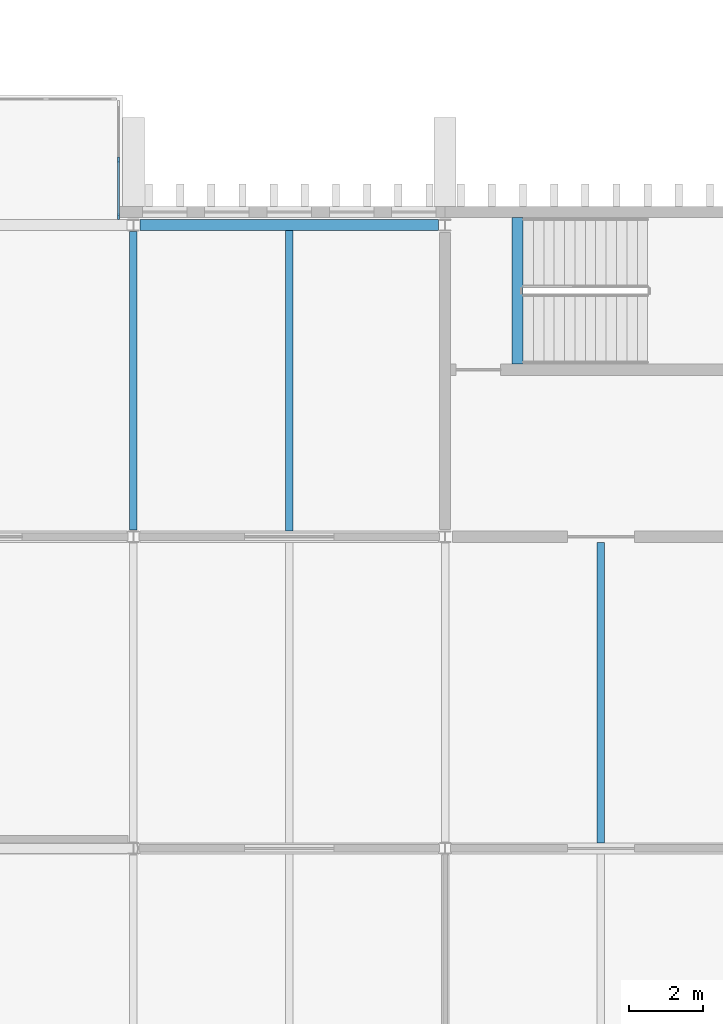
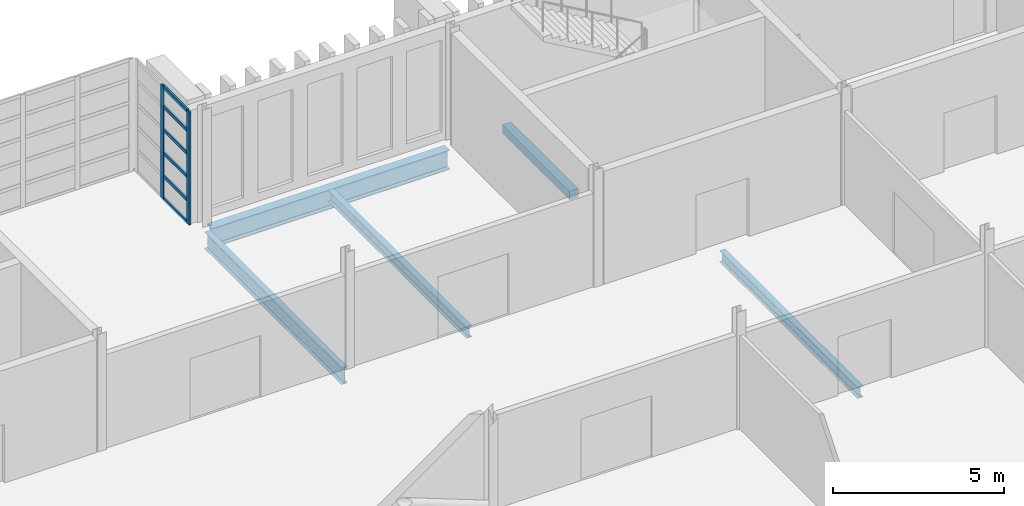
# One storey, part 15 of 100: 8 members, 5 beams, 1 element without a shape of its own.
"""IFC4 building model written with IfcOpenShell, lengths in metres."""

from ifc_helpers import new_model, si_unit, direction, frame, origin, origin_2d, place, context, subcontext, project, spatial, rectangle, i_section, extrude, material, layer, layer_set, material_profile, profile_set, type_object, element, aggregate, save


model = new_model("IFC4")

# Units and contexts
model_context = context("Model", 3, precision=1e-05, world=origin(), true_north=direction((0.0, 1.0)))
body_context = subcontext(model_context, "Body", "Model", "MODEL_VIEW")
ifc_project = project(units=[si_unit("LENGTHUNIT", "METRE"), si_unit("AREAUNIT", "SQUARE_METRE"), si_unit("VOLUMEUNIT", "CUBIC_METRE"), si_unit("PLANEANGLEUNIT", "RADIAN"), si_unit("MASSUNIT", "GRAM", prefix="KILO")], contexts=[model_context])

# Site, building, storey
site_placement = place(None, origin())
site = spatial("IfcSite", under=ifc_project, at=site_placement, CompositionType="ELEMENT")
building_placement = place(site_placement, origin())
building = spatial("IfcBuilding", under=site, at=building_placement, Name="Cresset Court Congress Hotel", CompositionType="ELEMENT")
storey_placement = place(building_placement, frame((0.0, 0.0, 10.199951171875)))
storey = spatial("IfcBuildingStorey", under=building, at=storey_placement, Name="L02", CompositionType="ELEMENT", Elevation=10.199951171875)

# Curtain wall, members
ifc_material_1 = material(Name="Aluminium frame with double glazing", Category="aluminium")
ifc_layer = layer(ifc_material_1, 0.199951171875)
ifc_layer_set = layer_set([ifc_layer], Name="Glazed box curtain wall 1680 module")
curtain_wall_type = type_object("IfcCurtainWallType", Name="Glazed box curtain wall 1680 module", PredefinedType="NOTDEFINED", material=ifc_layer_set)
curtain_wall_placement = place(storey_placement, origin())
curtain_wall = element("IfcCurtainWall", 1, at=curtain_wall_placement, inside=storey, type_object=curtain_wall_type, Name="Glazed box N0224 side", PredefinedType="NOTDEFINED")
ifc_material_2 = material(Name="Aluminium", Category="aluminium")
ifc_material_profile_1 = material_profile(ifc_material_2, rectangle(XDim=0.06005859375, YDim=0.159912109375, at=origin_2d()), Name="Box mullion 60x160")
ifc_profile_set_1 = profile_set([ifc_material_profile_1], Name="Aluminium")
member_type_1 = type_object("IfcMemberType", Name="Box mullion 60x160", PredefinedType="MULLION", material=ifc_profile_set_1)
member_1_placement = place(storey_placement, frame((24.800048828125, 25.429931640625, 0.0), z_axis=(0.0, 0.0, 1.0), x_axis=(-1.0, 0.0, 0.0)))
member_1 = element("IfcMember", 2, at=member_1_placement, type_object=member_type_1, Name="B-X1 mullion 1", PredefinedType="MULLION", context=body_context, shape_type="SweptSolid", body=[
    extrude(rectangle(XDim=0.06005859375, YDim=0.159912109375, at=origin_2d()), origin(), (0.0, 0.0, 1.0), 4.050048828125),
])
member_2_placement = place(storey_placement, frame((24.800048828125, 26.949951171875, 0.0), z_axis=(0.0, 0.0, 1.0), x_axis=(-1.0, 0.0, 0.0)))
member_2 = element("IfcMember", 3, at=member_2_placement, type_object=member_type_1, Name="B-X1 mullion 2", PredefinedType="MULLION", context=body_context, shape_type="SweptSolid", body=[
    extrude(rectangle(XDim=0.06005859375, YDim=0.159912109375, at=origin_2d()), origin(), (0.0, 0.0, 1.0), 4.050048828125),
])
ifc_material_3 = material(Name="Aluminium", Category="aluminium")
ifc_material_profile_2 = material_profile(ifc_material_3, rectangle(XDim=0.06005859375, YDim=0.1201171875, at=origin_2d()), Name="Box transom 60x120")
ifc_profile_set_2 = profile_set([ifc_material_profile_2], Name="Aluminium")
member_type_2 = type_object("IfcMemberType", Name="Box transom 60x120", PredefinedType="USERDEFINED", material=ifc_profile_set_2)
member_3_placement = place(storey_placement, frame((24.800048828125, 25.4599609375, 0.030029296875), z_axis=(0.0, 1.0, 0.0), x_axis=(-1.0, 0.0, 0.0)))
member_3 = element("IfcMember", 4, at=member_3_placement, type_object=member_type_2, Name="B-X1 transom 1.1", ObjectType="TRANSOM", PredefinedType="USERDEFINED", context=body_context, shape_type="SweptSolid", body=[
    extrude(rectangle(XDim=0.06005859375, YDim=0.1201171875, at=origin_2d()), origin(), (0.0, 0.0, 1.0), 1.4599609375),
])
member_4_placement = place(storey_placement, frame((24.800048828125, 25.4599609375, 0.830078125), z_axis=(0.0, 1.0, 0.0), x_axis=(-1.0, 0.0, 0.0)))
member_4 = element("IfcMember", 5, at=member_4_placement, type_object=member_type_2, Name="B-X1 transom 1.2", ObjectType="TRANSOM", PredefinedType="USERDEFINED", context=body_context, shape_type="SweptSolid", body=[
    extrude(rectangle(XDim=0.06005859375, YDim=0.1201171875, at=origin_2d()), origin(), (0.0, 0.0, 1.0), 1.4599609375),
])
member_5_placement = place(storey_placement, frame((24.800048828125, 25.4599609375, 1.66015625), z_axis=(0.0, 1.0, 0.0), x_axis=(-1.0, 0.0, 0.0)))
member_5 = element("IfcMember", 6, at=member_5_placement, type_object=member_type_2, Name="B-X1 transom 1.3", ObjectType="TRANSOM", PredefinedType="USERDEFINED", context=body_context, shape_type="SweptSolid", body=[
    extrude(rectangle(XDim=0.06005859375, YDim=0.1201171875, at=origin_2d()), origin(), (0.0, 0.0, 1.0), 1.4599609375),
])
member_6_placement = place(storey_placement, frame((24.800048828125, 25.4599609375, 2.489990234375), z_axis=(0.0, 1.0, 0.0), x_axis=(-1.0, 0.0, 0.0)))
member_6 = element("IfcMember", 7, at=member_6_placement, type_object=member_type_2, Name="B-X1 transom 1.4", ObjectType="TRANSOM", PredefinedType="USERDEFINED", context=body_context, shape_type="SweptSolid", body=[
    extrude(rectangle(XDim=0.06005859375, YDim=0.1201171875, at=origin_2d()), origin(), (0.0, 0.0, 1.0), 1.4599609375),
])
member_7_placement = place(storey_placement, frame((24.800048828125, 25.4599609375, 3.320068359375), z_axis=(0.0, 1.0, 0.0), x_axis=(-1.0, 0.0, 0.0)))
member_7 = element("IfcMember", 8, at=member_7_placement, type_object=member_type_2, Name="B-X1 transom 1.5", ObjectType="TRANSOM", PredefinedType="USERDEFINED", context=body_context, shape_type="SweptSolid", body=[
    extrude(rectangle(XDim=0.06005859375, YDim=0.1201171875, at=origin_2d()), origin(), (0.0, 0.0, 1.0), 1.4599609375),
])
member_8_placement = place(storey_placement, frame((24.800048828125, 25.4599609375, 4.02001953125), z_axis=(0.0, 1.0, 0.0), x_axis=(-1.0, 0.0, 0.0)))
member_8 = element("IfcMember", 9, at=member_8_placement, type_object=member_type_2, Name="B-X1 transom 1.6", ObjectType="TRANSOM", PredefinedType="USERDEFINED", context=body_context, shape_type="SweptSolid", body=[
    extrude(rectangle(XDim=0.06005859375, YDim=0.1201171875, at=origin_2d()), origin(), (0.0, 0.0, 1.0), 1.4599609375),
])
aggregate(curtain_wall, [member_1, member_2, member_3, member_4, member_5, member_6, member_7, member_8])

# Beams
ifc_material_4 = material(Name="Concrete C40", Category="concrete")
ifc_material_profile_3 = material_profile(ifc_material_4, rectangle(XDim=0.300048828125, YDim=0.300048828125, at=origin_2d()), Name="RC300x300")
ifc_profile_set_3 = profile_set([ifc_material_profile_3], Name="Concrete C40")
beam_type_1 = type_object("IfcBeamType", Name="Stair trimmer beam RC300x300", PredefinedType="BEAM", material=ifc_profile_set_3)
beam_1_placement = place(storey_placement, frame((35.550048828125, 21.449951171875, -0.300048828125), z_axis=(0.0, 1.0, 0.0), x_axis=(-1.0, 0.0, 0.0)))
element("IfcBeam", 10, at=beam_1_placement, inside=storey, type_object=beam_type_1, Name="Trimmer beam ST-B2 L02", PredefinedType="BEAM", context=body_context, shape_type="SweptSolid", body=[
    extrude(rectangle(XDim=0.300048828125, YDim=0.300048828125, at=origin_2d()), origin(), (0.0, 0.0, 1.0), 3.949951171875),
])
ifc_material_5 = material(Name="Structural steel Q355B", Category="steel")
ifc_material_profile_4 = material_profile(ifc_material_5, i_section(OverallWidth=0.199951171875, OverallDepth=0.60009765625, WebThickness=0.010986328125, FlangeThickness=0.01708984375, FilletRadius=0.012939453125, at=origin_2d()), Name="HN600x200x11x17")
ifc_profile_set_4 = profile_set([ifc_material_profile_4], Name="Structural steel Q355B")
beam_type_2 = type_object("IfcBeamType", Name="Steel beam HN600x200x11x17", PredefinedType="BEAM", material=ifc_profile_set_4)
beam_2_placement = place(storey_placement, frame((25.199951171875, 16.97509765625, -0.449951171875), z_axis=(0.0, 1.0, 0.0), x_axis=(-1.0, 0.0, 0.0)))
element("IfcBeam", 11, at=beam_2_placement, inside=storey, type_object=beam_type_2, Name="B.by.L02.04C", PredefinedType="BEAM", context=body_context, shape_type="SweptSolid", body=[
    extrude(i_section(OverallWidth=0.199951171875, OverallDepth=0.60009765625, WebThickness=0.010986328125, FlangeThickness=0.01708984375, FilletRadius=0.012939453125, at=origin_2d()), origin(), (0.0, 0.0, 1.0), 8.0498046875),
])
ifc_material_6 = material(Name="Structural steel Q355B", Category="steel")
ifc_material_profile_5 = material_profile(ifc_material_6, i_section(OverallWidth=0.300048828125, OverallDepth=0.699951171875, WebThickness=0.012939453125, FlangeThickness=0.02392578125, FilletRadius=0.01806640625, at=origin_2d()), Name="HN700x300x13x24")
ifc_profile_set_5 = profile_set([ifc_material_profile_5], Name="Structural steel Q355B")
beam_type_3 = type_object("IfcBeamType", Name="Steel beam HN700x300x13x24", PredefinedType="BEAM", material=ifc_profile_set_5)
beam_3_placement = place(storey_placement, frame((25.375, 25.199951171875, -0.5), z_axis=(1.0, 0.0, 0.0), x_axis=(0.0, 1.0, 0.0)))
element("IfcBeam", 12, at=beam_3_placement, inside=storey, type_object=beam_type_3, Name="B.bx.L02.D04", PredefinedType="BEAM", context=body_context, shape_type="SweptSolid", body=[
    extrude(i_section(OverallWidth=0.300048828125, OverallDepth=0.699951171875, WebThickness=0.012939453125, FlangeThickness=0.02392578125, FilletRadius=0.01806640625, at=origin_2d()), origin(), (0.0, 0.0, 1.0), 8.050048828125),
])
ifc_material_7 = material(Name="Structural steel Q355B", Category="steel")
ifc_material_profile_6 = material_profile(ifc_material_7, i_section(OverallWidth=0.199951171875, OverallDepth=0.39990234375, WebThickness=0.008056640625, FlangeThickness=0.012939453125, FilletRadius=0.01611328125, at=origin_2d()), Name="HN400x200x8x13")
ifc_profile_set_6 = profile_set([ifc_material_profile_6], Name="Structural steel Q355B")
beam_type_4 = type_object("IfcBeamType", Name="Steel joist HN400x200x8x13", PredefinedType="JOIST", material=ifc_profile_set_6)
beam_4_placement = place(storey_placement, frame((29.39990234375, 16.949951171875, -0.349853515625), z_axis=(0.0, 1.0, 0.0), x_axis=(-1.0, 0.0, 0.0)))
element("IfcBeam", 13, at=beam_4_placement, inside=storey, type_object=beam_type_4, Name="B.bj.L02.04C", PredefinedType="JOIST", context=body_context, shape_type="SweptSolid", body=[
    extrude(i_section(OverallWidth=0.199951171875, OverallDepth=0.39990234375, WebThickness=0.008056640625, FlangeThickness=0.012939453125, FilletRadius=0.01611328125, at=origin_2d()), origin(), (0.0, 0.0, 1.0), 8.10009765625),
])
beam_5_placement = place(storey_placement, frame((37.800048828125, 8.550048828125, -0.349853515625), z_axis=(0.0, 1.0, 0.0), x_axis=(-1.0, 0.0, 0.0)))
element("IfcBeam", 14, at=beam_5_placement, inside=storey, type_object=beam_type_4, Name="B.bj.L02.05B", PredefinedType="JOIST", context=body_context, shape_type="SweptSolid", body=[
    extrude(i_section(OverallWidth=0.199951171875, OverallDepth=0.39990234375, WebThickness=0.008056640625, FlangeThickness=0.012939453125, FilletRadius=0.01611328125, at=origin_2d()), origin(), (0.0, 0.0, 1.0), 8.099853515625),
])

save(model, "model.ifc")
